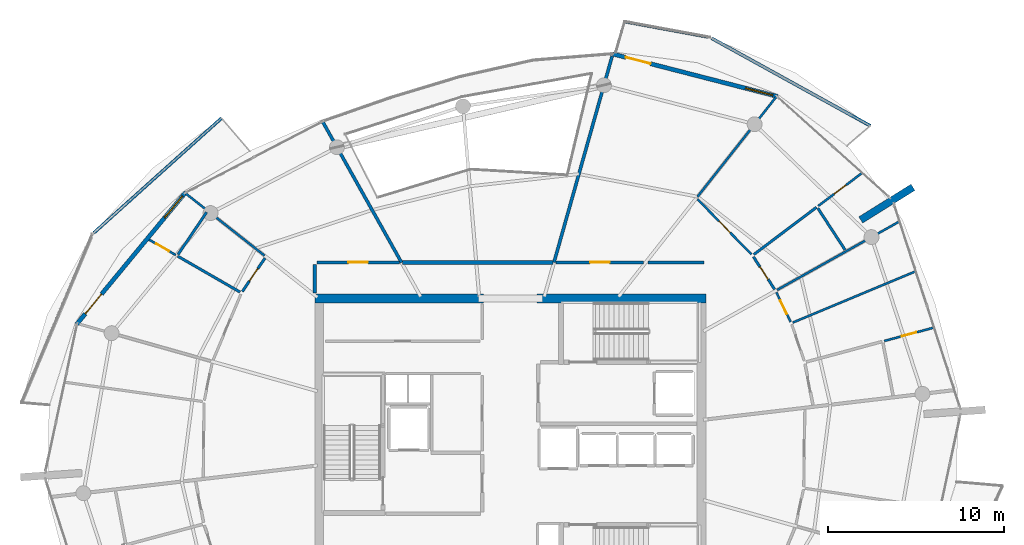
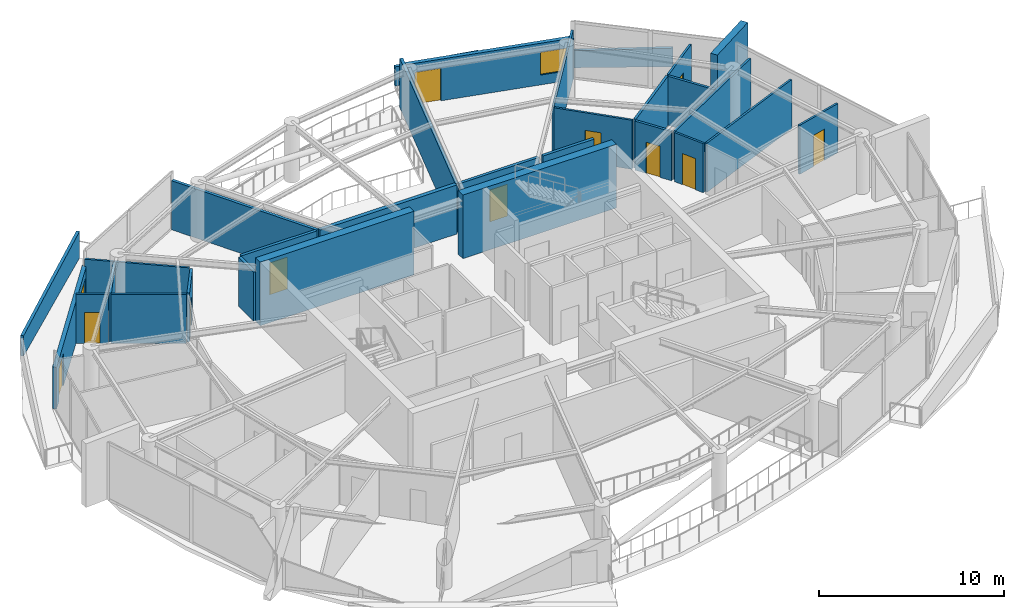
# One storey, part 15 of 21: 30 walls, 11 doors, 2 windows, 13 openings.
"""IFC4 building model written with IfcOpenShell, lengths in metres."""

import ifcopenshell
import ifcopenshell.guid

model = None  # the IFC model being written
_history = None  # IfcOwnerHistory: only IFC2X3 demands one
_inside = {}  # id of a spatial element -> (the spatial element, [elements in it])
_under = {}  # id of a project, library or spatial element -> (it, [spatial elements below it])
_declared = {}  # id of a project -> (the project, [libraries it declares])
_typed = {}  # id of a type object -> (the type object, [elements of that type])
_made_of = {}  # id of a material, layer set ... -> (it, [elements and type objects made of it])


def new_model(schema):
    """Start an empty IFC model of exactly this schema.

    Asked for "IFC4X3", IfcOpenShell would pick the latest addendum, in which some entities
    have other attributes; the version numbers below select the first issue.
    IFC2X3 requires an IfcOwnerHistory on every rooted entity: one is made here for all.
    """
    global model, _history
    if schema == "IFC4X3":
        model = ifcopenshell.file(schema_version=(4, 3, 0, 0))
    else:
        model = ifcopenshell.file(schema=schema)
    _inside.clear()
    _under.clear()
    _declared.clear()
    _typed.clear()
    _made_of.clear()
    _history = None
    if model.schema == "IFC2X3":
        org = make("IfcOrganization", Name="unknown")
        user = make(
            "IfcPersonAndOrganization",
            ThePerson=make("IfcPerson", FamilyName="unknown"),
            TheOrganization=org,
        )
        app = make(
            "IfcApplication",
            ApplicationDeveloper=org,
            Version="unknown",
            ApplicationFullName="unknown",
            ApplicationIdentifier="unknown",
        )
        _history = make(
            "IfcOwnerHistory",
            OwningUser=user,
            OwningApplication=app,
            ChangeAction="ADDED",
            CreationDate=0,
        )
    return model


def make(cls, **values):
    """One entity of the class cls with the attributes given. An attribute that is None is left unset."""
    return model.create_entity(
        cls, **{name: value for name, value in values.items() if value is not None}
    )


def rooted(cls, **values):
    """An entity with a GlobalId (a new one), such as an element, a storey or a relation."""
    return make(cls, GlobalId=ifcopenshell.guid.new(), OwnerHistory=_history, **values)


def si_unit(unit_type, name, prefix=None):
    """IfcSIUnit, for example si_unit("LENGTHUNIT", "METRE", prefix="MILLI")."""
    return make("IfcSIUnit", UnitType=unit_type, Prefix=prefix, Name=name)


def assignment(units):
    """IfcUnitAssignment: the units of a project."""
    return None if units is None else make("IfcUnitAssignment", Units=units)


def point(xyz):
    """IfcCartesianPoint."""
    return None if xyz is None else make("IfcCartesianPoint", Coordinates=xyz)


def direction(xyz):
    """IfcDirection."""
    return None if xyz is None else make("IfcDirection", DirectionRatios=xyz)


def frame(location, z_axis=None, x_axis=None):
    """IfcAxis2Placement3D, a coordinate frame: its origin and axes. An axis left out is left unset."""
    return make(
        "IfcAxis2Placement3D",
        Location=point(location),
        Axis=direction(z_axis),
        RefDirection=direction(x_axis),
    )


def frame_2d(location, x_axis=None):
    """IfcAxis2Placement2D, a coordinate frame in the plane: its origin and x axis."""
    return make(
        "IfcAxis2Placement2D", Location=point(location), RefDirection=direction(x_axis)
    )


def origin():
    """The frame at (0, 0, 0) with its axes left unset."""
    return frame((0.0, 0.0, 0.0))


def place(relative_to, where):
    """IfcLocalPlacement: puts the frame where relative to a parent placement (None: the world)."""
    return make(
        "IfcLocalPlacement", PlacementRelTo=relative_to, RelativePlacement=where
    )


def context(
    kind, dimensions, precision=None, world=None, true_north=None, identifier=None
):
    """IfcGeometricRepresentationContext, for example the 3D "Model" context."""
    return make(
        "IfcGeometricRepresentationContext",
        ContextIdentifier=identifier,
        ContextType=kind,
        CoordinateSpaceDimension=dimensions,
        Precision=precision,
        WorldCoordinateSystem=world,
        TrueNorth=true_north,
    )


def subcontext(parent, identifier, kind, view, scale=None):
    """IfcGeometricRepresentationSubContext, for example "Body" below "Model"."""
    return make(
        "IfcGeometricRepresentationSubContext",
        ContextIdentifier=identifier,
        ContextType=kind,
        ParentContext=parent,
        TargetScale=scale,
        TargetView=view,
    )


def project(units=None, contexts=None):
    """IfcProject with its units and contexts."""
    return rooted(
        "IfcProject",
        Name="project",
        RepresentationContexts=contexts,
        UnitsInContext=assignment(units),
    )


def spatial(cls, under=None, at=None, **own):
    """A site, building, storey or space (cls), placed at a placement, below another one or the project."""
    s = rooted(cls, ObjectPlacement=at, **own)
    if under is not None:
        _under.setdefault(under.id(), (under, []))[1].append(s)
    return s


def polyline(points):
    """IfcPolyline through the points."""
    return make("IfcPolyline", Points=[point(p) for p in points])


def profile(cls, at=None, kind="AREA", **sizes):
    """A parametric profile (cls). Its sizes go by their IFC names, for example OverallWidth=200.0."""
    return make(cls, ProfileType=kind, Position=at, **sizes)


def rectangle(**sizes):
    """IfcRectangleProfileDef."""
    return profile("IfcRectangleProfileDef", **sizes)


def outline(outer, holes=None, kind="AREA"):
    """IfcArbitraryClosedProfileDef: a profile drawn as a closed curve; with holes, ...WithVoids."""
    if holes is None:
        return make("IfcArbitraryClosedProfileDef", ProfileType=kind, OuterCurve=outer)
    return make(
        "IfcArbitraryProfileDefWithVoids",
        ProfileType=kind,
        OuterCurve=outer,
        InnerCurves=holes,
    )


def extrude(swept, where, along, depth):
    """IfcExtrudedAreaSolid: the profile swept, set in the frame where, extruded along a direction by depth."""
    return make(
        "IfcExtrudedAreaSolid",
        SweptArea=swept,
        Position=where,
        ExtrudedDirection=direction(along),
        Depth=depth,
    )


def shape(context_of_items, identifier, shape_type, items):
    """IfcShapeRepresentation: the items that make up one representation, for example the "Body"."""
    return make(
        "IfcShapeRepresentation",
        ContextOfItems=context_of_items,
        RepresentationIdentifier=identifier,
        RepresentationType=shape_type,
        Items=items,
    )


def material(Name=None, Category=None):
    """IfcMaterial."""
    return make("IfcMaterial", Name=Name, Category=Category)


def layer(
    of_material, thickness, ventilated=None, Name=None, Category=None, Priority=None
):
    """IfcMaterialLayer: one layer of a wall or slab, of a material (None: an air gap)."""
    return make(
        "IfcMaterialLayer",
        Material=of_material,
        LayerThickness=thickness,
        IsVentilated=ventilated,
        Name=Name,
        Category=Category,
        Priority=Priority,
    )


def layer_set(layers, Name=None):
    """IfcMaterialLayerSet."""
    return make("IfcMaterialLayerSet", MaterialLayers=layers, LayerSetName=Name)


def made_of(thing, what):
    """Note that an element or type object is made of a material, layer set ...; save() writes the relation."""
    if what is not None:
        _made_of.setdefault(what.id(), (what, []))[1].append(thing)
    return thing


def type_object(cls, material=None, **own):
    """A type object (cls), such as IfcWallType, which elements share."""
    return made_of(rooted(cls, **own), material)


def element(
    cls,
    number,
    at=None,
    inside=None,
    cuts=None,
    type_object=None,
    material=None,
    context=None,
    identifier="Body",
    shape_type=None,
    held_by="IfcProductDefinitionShape",
    body=None,
    shapes=None,
    **own,
):
    """One element of the class cls, such as IfcWall. Its Tag is "e" and its number.

    at: its placement. inside: the storey or other place that contains it. cuts: it is an
    opening in that element (IfcRelVoidsElement). A single representation is given by context,
    identifier, shape_type and body (its items); several are given by shapes. held_by: the class
    of the entity that holds the representations. save() writes the other relations.
    """
    e = rooted(cls, Tag="e%d" % number, ObjectPlacement=at, **own)
    if body is not None:
        shapes = [shape(context, identifier, shape_type, body)]
    if shapes is not None:
        e.Representation = make(held_by, Representations=shapes)
    if inside is not None:
        _inside.setdefault(inside.id(), (inside, []))[1].append(e)
    if cuts is not None:
        rooted(
            "IfcRelVoidsElement", RelatingBuildingElement=cuts, RelatedOpeningElement=e
        )
    if type_object is not None:
        _typed.setdefault(type_object.id(), (type_object, []))[1].append(e)
    return made_of(e, material)


def fill(opening, filler):
    """IfcRelFillsElement: the door or window that sits in an opening."""
    return rooted(
        "IfcRelFillsElement",
        RelatingOpeningElement=opening,
        RelatedBuildingElement=filler,
    )


def aggregate(whole, parts):
    """IfcRelAggregates: a whole, such as a stair, and the parts it consists of."""
    return rooted("IfcRelAggregates", RelatingObject=whole, RelatedObjects=parts)


def save(model, path):
    """Write the relations noted so far, then the file.

    IfcRelAggregates (storeys below a building ...), IfcRelContainedInSpatialStructure (elements
    in a storey), IfcRelDefinesByType, IfcRelAssociatesMaterial and IfcRelDeclares: one each for
    every whole, place, type object, material and project.
    """
    for whole, parts in _under.values():
        aggregate(whole, parts)
    for where, things in _inside.values():
        rooted(
            "IfcRelContainedInSpatialStructure",
            RelatedElements=things,
            RelatingStructure=where,
        )
    for kind, things in _typed.values():
        rooted("IfcRelDefinesByType", RelatedObjects=things, RelatingType=kind)
    for what, things in _made_of.values():
        rooted("IfcRelAssociatesMaterial", RelatedObjects=things, RelatingMaterial=what)
    for by, libraries in _declared.values():
        rooted("IfcRelDeclares", RelatingContext=by, RelatedDefinitions=libraries)
    model.write(path)


model = new_model("IFC4")

# Units and contexts
model_context = context("Model", 3, precision=1e-05, world=origin(), true_north=direction((0.0, 1.0)))
body_context = subcontext(model_context, "Body", "Model", "MODEL_VIEW")
ifc_project = project(units=[si_unit("LENGTHUNIT", "METRE"), si_unit("AREAUNIT", "SQUARE_METRE"), si_unit("VOLUMEUNIT", "CUBIC_METRE"), si_unit("PLANEANGLEUNIT", "RADIAN"), si_unit("MASSUNIT", "GRAM", prefix="KILO")], contexts=[model_context])

# Site, building, storey
site_placement = place(None, origin())
site = spatial("IfcSite", under=ifc_project, at=site_placement, CompositionType="ELEMENT")
building_placement = place(site_placement, origin())
building = spatial("IfcBuilding", under=site, at=building_placement, Name="Kazma Halo Residences", CompositionType="ELEMENT")
storey_placement = place(building_placement, frame((0.0, 0.0, 338.89990234375)))
storey = spatial("IfcBuildingStorey", under=building, at=storey_placement, Name="L85", CompositionType="ELEMENT", Elevation=338.89990234375)

# Walls
ifc_material_1 = material(Name="White Concrete C50/60 Balustrade", Category="concrete")
ifc_layer_1 = layer(ifc_material_1, 0.179931640625)
ifc_layer_set_1 = layer_set([ifc_layer_1], Name="White Concrete C50/60 Balustrade")
wall_type_1 = type_object("IfcWallType", Name="WL-BAL-WAVE-180", PredefinedType="PARAPET", material=ifc_layer_set_1)
wall_1_placement = place(storey_placement, frame((68.89697265625, 60.069580078125, 0.0), z_axis=(0.0, 0.0, 1.0), x_axis=(-0.875469817093, 0.483272800145, 0.0)))
element("IfcWall", 1, at=wall_1_placement, inside=storey, type_object=wall_type_1, Name="L85 white wave balustrade wall NE.1", PredefinedType="PARAPET", context=body_context, shape_type="SweptSolid", body=[
    extrude(outline(polyline([(0.0, 0.0), (10.3017578125, 0.0), (10.301513671875, 1.148193359375), (5.15087890625, 1.127197265625), (0.0, 1.22412109375), (0.0, 0.0)])), frame((0.0, 0.08984375, 0.0), z_axis=(0.0, -1.0, 0.0), x_axis=(1.0, 0.0, 0.0)), (0.0, 0.0, 1.0), 0.179931640625),
])
wall_2_placement = place(storey_placement, frame((59.655029296875, 65.1279296875, 0.0), z_axis=(0.0, 0.0, 1.0), x_axis=(-0.983429847583, 0.18128909201, 0.0)))
element("IfcWall", 2, at=wall_2_placement, inside=storey, type_object=wall_type_1, Name="L85 white wave balustrade wall NE.2", PredefinedType="PARAPET", context=body_context, shape_type="SweptSolid", body=[
    extrude(outline(polyline([(0.0, 0.0), (4.8076171875, 0.0), (4.8076171875, 1.279052734375), (0.0, 1.148193359375), (0.0, 0.0)])), frame((0.0, 0.08984375, 0.0), z_axis=(0.0, -1.0, 0.0), x_axis=(1.0, 0.0, 0.0)), (0.0, 0.0, 1.0), 0.179931640625),
])
wall_3_placement = place(storey_placement, frame((31.996826171875, 60.507080078125, 0.0), z_axis=(0.0, 0.0, 1.0), x_axis=(-0.74390919155, -0.668280715514, 0.0)))
element("IfcWall", 3, at=wall_3_placement, inside=storey, type_object=wall_type_1, Name="L85 white wave balustrade wall NW.1", PredefinedType="PARAPET", context=body_context, shape_type="SweptSolid", body=[
    extrude(outline(polyline([(0.0, 0.0), (9.76513671875, 0.0), (9.76513671875, 1.34814453125), (4.882568359375, 1.56201171875), (0.0, 1.7470703125), (0.0, 0.0)])), frame((0.0, 0.08984375, 0.0), z_axis=(0.0, -1.0, 0.0), x_axis=(1.0, 0.0, 0.0)), (0.0, 0.0, 1.0), 0.179931640625),
])
ifc_material_2 = material(Name="Pale Concrete C60/75", Category="concrete")
ifc_layer_2 = layer(ifc_material_2, 0.419921875)
ifc_layer_set_2 = layer_set([ifc_layer_2], Name="Pale Concrete C60/75")
wall_type_2 = type_object("IfcWallType", Name="WL-BLADE-420", PredefinedType="SOLIDWALL", material=ifc_layer_set_2)
wall_4_placement = place(storey_placement, frame((68.3525390625, 54.7177734375, 0.0), z_axis=(0.0, 0.0, 1.0), x_axis=(0.848053161125, 0.529911158502, 0.0)))
element("IfcWall", 4, at=wall_4_placement, inside=storey, type_object=wall_type_2, Name="L85 pale concrete structural blade fin wall BW-01", PredefinedType="SOLIDWALL", context=body_context, shape_type="SweptSolid", body=[
    extrude(rectangle(XDim=3.5, YDim=0.419921875, at=frame_2d((1.75, 0.0))), origin(), (0.0, 0.0, 1.0), 4.2001953125),
])
ifc_material_3 = material(Name="Concrete C60/75", Category="concrete")
ifc_layer_3 = layer(ifc_material_3, 0.5)
ifc_layer_set_3 = layer_set([ifc_layer_3], Name="Concrete C60/75")
wall_type_3 = type_object("IfcWallType", Name="WL-CORE-500", PredefinedType="SHEAR", material=ifc_layer_set_3)
wall_5_placement = place(storey_placement, frame((37.300048828125, 50.25, 0.0), z_axis=(0.0, 0.0, 1.0), x_axis=(1.0, 0.0, 0.0)))
element("IfcWall", 5, at=wall_5_placement, inside=storey, type_object=wall_type_3, Name="L85 central core shear wall NW", PredefinedType="SHEAR", context=body_context, shape_type="SweptSolid", body=[
    extrude(rectangle(XDim=9.599853515625, YDim=0.5, at=frame_2d((4.7998046875, 0.0))), origin(), (0.0, 0.0, 1.0), 4.2001953125),
])
wall_6_placement = place(storey_placement, frame((49.949951171875, 50.25, 0.0), z_axis=(0.0, 0.0, 1.0), x_axis=(1.0, 0.0, 0.0)))
element("IfcWall", 6, at=wall_6_placement, inside=storey, type_object=wall_type_3, Name="L85 central core shear wall NE", PredefinedType="SHEAR", context=body_context, shape_type="SweptSolid", body=[
    extrude(rectangle(XDim=9.60009765625, YDim=0.5, at=frame_2d((4.800048828125, 0.0))), origin(), (0.0, 0.0, 1.0), 4.2001953125),
])
ifc_material_4 = material(Name="Acoustic Twin-Stud Gypsum")
ifc_layer_4 = layer(ifc_material_4, 0.179931640625)
ifc_layer_set_4 = layer_set([ifc_layer_4], Name="Acoustic Twin-Stud Gypsum")
wall_type_4 = type_object("IfcWallType", Name="WL-DEM-180", PredefinedType="PARTITIONING", material=ifc_layer_set_4)
wall_7_placement = place(storey_placement, frame((50.90478515625, 52.300048828125, 0.0), z_axis=(0.0, 0.0, 1.0), x_axis=(0.271453030279, 0.962451688321, 0.0)))
element("IfcWall", 7, at=wall_7_placement, inside=storey, type_object=wall_type_4, Name="L85 apartment demising radial wall 02", PredefinedType="PARTITIONING", context=body_context, shape_type="SweptSolid", body=[
    extrude(rectangle(XDim=12.191162109375, YDim=0.179931640625, at=frame_2d((6.095703125, 0.0))), origin(), (0.0, 0.0, 1.0), 3.239990234375),
])
wall_8_placement = place(storey_placement, frame((42.231689453125, 52.300048828125, 0.0), z_axis=(0.0, 0.0, 1.0), x_axis=(-0.488623665245, 0.872494649704, 0.0)))
element("IfcWall", 8, at=wall_8_placement, inside=storey, type_object=wall_type_4, Name="L85 apartment demising radial wall 04", PredefinedType="PARTITIONING", context=body_context, shape_type="SweptSolid", body=[
    extrude(rectangle(XDim=9.156982421875, YDim=0.179931640625, at=frame_2d((4.57861328125, 0.0))), origin(), (0.0, 0.0, 1.0), 3.239990234375),
])

# Wall, opening, door
wall_9_placement = place(storey_placement, frame((42.11181640625, 52.300048828125, 0.0), z_axis=(0.0, 0.0, 1.0), x_axis=(-1.0, 0.0, 0.0)))
wall_9 = element("IfcWall", 9, at=wall_9_placement, inside=storey, type_object=wall_type_4, Name="L85 Penthouse 1 entrance corridor wall", PredefinedType="PARTITIONING", context=body_context, shape_type="SweptSolid", body=[
    extrude(rectangle(XDim=4.69189453125, YDim=0.179931640625, at=frame_2d((2.345947265625, 0.0))), origin(), (0.0, 0.0, 1.0), 3.239990234375),
])
opening_1_placement = place(wall_9_placement, frame((1.7958984375, 0.0, 0.0)))
opening_1 = element("IfcOpeningElement", 10, at=opening_1_placement, cuts=wall_9, Name="Opening DA-1100", PredefinedType="OPENING", context=body_context, shape_type="SweptSolid", body=[
    extrude(rectangle(XDim=1.10009765625, YDim=2.10009765625, at=frame_2d((0.550048828125, 1.050048828125))), frame((0.0, 0.099853515625, 0.0), z_axis=(0.0, -1.0, 0.0), x_axis=(1.0, 0.0, 0.0)), (0.0, 0.0, 1.0), 0.199951171875),
])
ifc_material_5 = material(Name="Acoustic Walnut Fire Leaf")
door_type_1 = type_object("IfcDoorType", Name="DR-FD60-1100", OperationType="NOTDEFINED", PredefinedType="DOOR", material=ifc_material_5)
door_1_placement = place(opening_1_placement, origin())
door_1 = element("IfcDoor", 11, at=door_1_placement, inside=storey, type_object=door_type_1, Name="L85 Penthouse 1 entrance fire door", OperationType="SINGLE_SWING_LEFT", OverallHeight=2.10009765625, OverallWidth=1.10009765625, PredefinedType="DOOR", context=body_context, shape_type="SweptSolid", body=[
    extrude(rectangle(XDim=1.10009765625, YDim=2.10009765625, at=frame_2d((0.550048828125, 1.050048828125))), frame((0.0, 0.02490234375, 0.0), z_axis=(0.0, -1.0, 0.0), x_axis=(1.0, 0.0, 0.0)), (0.0, 0.0, 1.0), 0.050048828125),
])
fill(opening_1, door_1)

# Wall
wall_10_placement = place(storey_placement, frame((37.300048828125, 52.179931640625, 0.0), z_axis=(0.0, 0.0, 1.0), x_axis=(0.0, -1.0, 0.0)))
element("IfcWall", 12, at=wall_10_placement, inside=storey, type_object=wall_type_4, Name="L85 Penthouse 1 entrance corridor wall", PredefinedType="PARTITIONING", context=body_context, shape_type="SweptSolid", body=[
    extrude(rectangle(XDim=1.624755859375, YDim=0.179931640625, at=frame_2d((0.8125, 0.0))), origin(), (0.0, 0.0, 1.0), 3.239990234375),
])

# Wall, opening, door
wall_11_placement = place(storey_placement, frame((56.0, 52.300048828125, 0.0), z_axis=(0.0, 0.0, 1.0), x_axis=(-1.0, 0.0, 0.0)))
wall_11 = element("IfcWall", 13, at=wall_11_placement, inside=storey, type_object=wall_type_4, Name="L85 Penthouse 4 entrance corridor wall", PredefinedType="PARTITIONING", context=body_context, shape_type="SweptSolid", body=[
    extrude(rectangle(XDim=4.97509765625, YDim=0.179931640625, at=frame_2d((2.487548828125, 0.0))), origin(), (0.0, 0.0, 1.0), 3.239990234375),
])
opening_2_placement = place(wall_11_placement, frame((1.9375, 0.0, 0.0)))
opening_2 = element("IfcOpeningElement", 14, at=opening_2_placement, cuts=wall_11, Name="Opening DA-1100", PredefinedType="OPENING", context=body_context, shape_type="SweptSolid", body=[
    extrude(rectangle(XDim=1.10009765625, YDim=2.10009765625, at=frame_2d((0.550048828125, 1.050048828125))), frame((0.0, 0.099853515625, 0.0), z_axis=(0.0, -1.0, 0.0), x_axis=(1.0, 0.0, 0.0)), (0.0, 0.0, 1.0), 0.199951171875),
])
door_2_placement = place(opening_2_placement, origin())
door_2 = element("IfcDoor", 15, at=door_2_placement, inside=storey, type_object=door_type_1, Name="L85 Penthouse 4 entrance fire door", OperationType="SINGLE_SWING_RIGHT", OverallHeight=2.10009765625, OverallWidth=1.10009765625, PredefinedType="DOOR", context=body_context, shape_type="SweptSolid", body=[
    extrude(rectangle(XDim=1.10009765625, YDim=2.10009765625, at=frame_2d((0.550048828125, 1.050048828125))), frame((0.0, 0.02490234375, 0.0), z_axis=(0.0, -1.0, 0.0), x_axis=(1.0, 0.0, 0.0)), (0.0, 0.0, 1.0), 0.050048828125),
])
fill(opening_2, door_2)

# Wall
wall_12_placement = place(storey_placement, frame((59.429931640625, 52.300048828125, 0.0), z_axis=(0.0, 0.0, 1.0), x_axis=(-1.0, 0.0, 0.0)))
element("IfcWall", 16, at=wall_12_placement, inside=storey, type_object=wall_type_4, Name="L85 Penthouse 4 inner wall 0", PredefinedType="PARTITIONING", context=body_context, shape_type="SweptSolid", body=[
    extrude(rectangle(XDim=3.18994140625, YDim=0.179931640625, at=frame_2d((1.594970703125, 0.0))), origin(), (0.0, 0.0, 1.0), 3.239990234375),
])

# Wall, openings, door, window
ifc_material_6 = material(Name="Insulated Pale-Metal Composite Wall")
ifc_layer_5 = layer(ifc_material_6, 0.239990234375)
ifc_layer_set_5 = layer_set([ifc_layer_5], Name="Insulated Pale-Metal Composite Wall")
wall_type_5 = type_object("IfcWallType", Name="WL-EXT-HOST-240", PredefinedType="SOLIDWALL", material=ifc_layer_set_5)
wall_13_placement = place(storey_placement, frame((63.619873046875, 61.73974609375, 0.0), z_axis=(0.0, 0.0, 1.0), x_axis=(-0.968389062354, 0.249444630957, 0.0)))
wall_13 = element("IfcWall", 17, at=wall_13_placement, inside=storey, type_object=wall_type_5, Name="L85 exterior terrace-access wall B02", PredefinedType="SOLIDWALL", context=body_context, shape_type="SweptSolid", body=[
    extrude(rectangle(XDim=9.677734375, YDim=0.239990234375, at=frame_2d((4.8388671875, 0.0))), origin(), (0.0, 0.0, 1.0), 2.75),
])
opening_3_placement = place(wall_13_placement, frame((7.457763671875, 0.0, 0.0)))
opening_3 = element("IfcOpeningElement", 18, at=opening_3_placement, cuts=wall_13, Name="Opening DTR-1600", PredefinedType="OPENING", context=body_context, shape_type="SweptSolid", body=[
    extrude(rectangle(XDim=1.449951171875, YDim=2.14990234375, at=frame_2d((0.72509765625, 1.074951171875))), frame((0.0, 0.1298828125, 0.0), z_axis=(0.0, -1.0, 0.0), x_axis=(1.0, 0.0, 0.0)), (0.0, 0.0, 1.0), 0.260009765625),
])
opening_4_placement = place(wall_13_placement, frame((0.280029296875, 0.0, 0.64990234375)))
opening_4 = element("IfcOpeningElement", 19, at=opening_4_placement, cuts=wall_13, Name="Opening W-1800", PredefinedType="OPENING", context=body_context, shape_type="SweptSolid", body=[
    extrude(rectangle(XDim=1.60009765625, YDim=1.5, at=frame_2d((0.800048828125, 0.75))), frame((0.0, 0.1298828125, 0.0), z_axis=(0.0, -1.0, 0.0), x_axis=(1.0, 0.0, 0.0)), (0.0, 0.0, 1.0), 0.260009765625),
])
ifc_material_7 = material(Name="Aluminium AW-6063 T6 Double-Glazed Terrace Door", Category="aluminium")
door_type_2 = type_object("IfcDoorType", Name="DR-EXT-TERR-1600", OperationType="NOTDEFINED", PredefinedType="DOOR", material=ifc_material_7)
door_3_placement = place(opening_3_placement, origin())
door_3 = element("IfcDoor", 20, at=door_3_placement, inside=storey, type_object=door_type_2, Name="L85 B02 balcony terrace door", OperationType="DOUBLE_DOOR_SLIDING", OverallHeight=2.14990234375, OverallWidth=1.449951171875, PredefinedType="DOOR", context=body_context, shape_type="SweptSolid", body=[
    extrude(rectangle(XDim=1.449951171875, YDim=2.14990234375, at=frame_2d((0.72509765625, 1.074951171875))), frame((0.0, 0.02490234375, 0.0), z_axis=(0.0, -1.0, 0.0), x_axis=(1.0, 0.0, 0.0)), (0.0, 0.0, 1.0), 0.050048828125),
])
fill(opening_3, door_3)
ifc_material_8 = material(Name="Clear Triple-Silver Low-E Glass in Aluminium AW-6063 T6 Frame", Category="aluminium")
window_type = type_object("IfcWindowType", Name="WIN-RES-1800", PartitioningType="DOUBLE_PANEL_VERTICAL", PredefinedType="WINDOW", material=ifc_material_8)
window_1_placement = place(opening_4_placement, origin())
window_1 = element("IfcWindow", 21, at=window_1_placement, inside=storey, type_object=window_type, Name="L85 B02 apartment window", OverallHeight=1.5, OverallWidth=1.60009765625, PartitioningType="SINGLE_PANEL", PredefinedType="WINDOW", context=body_context, shape_type="SweptSolid", body=[
    extrude(rectangle(XDim=1.60009765625, YDim=1.5, at=frame_2d((0.800048828125, 0.75))), frame((0.0, 0.030029296875, 0.0), z_axis=(0.0, -1.0, 0.0), x_axis=(1.0, 0.0, 0.0)), (0.0, 0.0, 1.0), 0.06005859375),
])
fill(opening_4, window_1)

wall_14_placement = place(storey_placement, frame((29.955322265625, 56.288818359375, 0.0), z_axis=(0.0, 0.0, 1.0), x_axis=(-0.636803612721, -0.771026042897, 0.0)))
wall_14 = element("IfcWall", 22, at=wall_14_placement, inside=storey, type_object=wall_type_5, Name="L85 exterior terrace-access wall B06", PredefinedType="SOLIDWALL", context=body_context, shape_type="SweptSolid", body=[
    extrude(rectangle(XDim=9.7275390625, YDim=0.239990234375, at=frame_2d((4.86376953125, 0.0))), origin(), (0.0, 0.0, 1.0), 2.75),
])
opening_5_placement = place(wall_14_placement, frame((7.5078125, 0.0, 0.0)))
opening_5 = element("IfcOpeningElement", 23, at=opening_5_placement, cuts=wall_14, Name="Opening DTR-1600", PredefinedType="OPENING", context=body_context, shape_type="SweptSolid", body=[
    extrude(rectangle(XDim=1.449951171875, YDim=2.14990234375, at=frame_2d((0.72509765625, 1.074951171875))), frame((0.0, 0.1298828125, 0.0), z_axis=(0.0, -1.0, 0.0), x_axis=(1.0, 0.0, 0.0)), (0.0, 0.0, 1.0), 0.260009765625),
])
opening_6_placement = place(wall_14_placement, frame((0.280029296875, 0.0, 0.64990234375)))
opening_6 = element("IfcOpeningElement", 24, at=opening_6_placement, cuts=wall_14, Name="Opening W-1800", PredefinedType="OPENING", context=body_context, shape_type="SweptSolid", body=[
    extrude(rectangle(XDim=1.60009765625, YDim=1.5, at=frame_2d((0.800048828125, 0.75))), frame((0.0, 0.1298828125, 0.0), z_axis=(0.0, -1.0, 0.0), x_axis=(1.0, 0.0, 0.0)), (0.0, 0.0, 1.0), 0.260009765625),
])
door_4_placement = place(opening_5_placement, origin())
door_4 = element("IfcDoor", 25, at=door_4_placement, inside=storey, type_object=door_type_2, Name="L85 B06 balcony terrace door", OperationType="DOUBLE_DOOR_SLIDING", OverallHeight=2.14990234375, OverallWidth=1.449951171875, PredefinedType="DOOR", context=body_context, shape_type="SweptSolid", body=[
    extrude(rectangle(XDim=1.449951171875, YDim=2.14990234375, at=frame_2d((0.72509765625, 1.074951171875))), frame((0.0, 0.02490234375, 0.0), z_axis=(0.0, -1.0, 0.0), x_axis=(1.0, 0.0, 0.0)), (0.0, 0.0, 1.0), 0.050048828125),
])
fill(opening_5, door_4)
window_2_placement = place(opening_6_placement, origin())
window_2 = element("IfcWindow", 26, at=window_2_placement, inside=storey, type_object=window_type, Name="L85 B06 apartment window", OverallHeight=1.5, OverallWidth=1.60009765625, PartitioningType="SINGLE_PANEL", PredefinedType="WINDOW", context=body_context, shape_type="SweptSolid", body=[
    extrude(rectangle(XDim=1.60009765625, YDim=1.5, at=frame_2d((0.800048828125, 0.75))), frame((0.0, 0.030029296875, 0.0), z_axis=(0.0, -1.0, 0.0), x_axis=(1.0, 0.0, 0.0)), (0.0, 0.0, 1.0), 0.06005859375),
])
fill(opening_6, window_2)

# Walls
wall_15_placement = place(storey_placement, frame((50.8349609375, 52.300048828125, 0.0), z_axis=(0.0, 0.0, 1.0), x_axis=(-1.0, 0.0, 0.0)))
element("IfcWall", 27, at=wall_15_placement, inside=storey, type_object=wall_type_5, Name="L85 wind-portal core closure wall", PredefinedType="SOLIDWALL", context=body_context, shape_type="SweptSolid", body=[
    extrude(rectangle(XDim=8.533203125, YDim=0.239990234375, at=frame_2d((4.2666015625, 0.0))), origin(), (0.0, 0.0, 1.0), 3.239990234375),
])
ifc_material_9 = material(Name="Gypsum Plasterboard Partition")
ifc_layer_6 = layer(ifc_material_9, 0.125)
ifc_layer_set_6 = layer_set([ifc_layer_6], Name="Gypsum Plasterboard Partition")
wall_type_6 = type_object("IfcWallType", Name="WL-PART-125", PredefinedType="PARTITIONING", material=ifc_layer_set_6)
wall_16_placement = place(storey_placement, frame((34.443115234375, 52.6875, 0.0), z_axis=(0.0, 0.0, 1.0), x_axis=(-0.785329715116, 0.61907773224, 0.0)))
element("IfcWall", 28, at=wall_16_placement, inside=storey, type_object=wall_type_6, Name="L85 Penthouse 1 radial partition 5", PredefinedType="PARTITIONING", context=body_context, shape_type="SweptSolid", body=[
    extrude(rectangle(XDim=5.72998046875, YDim=0.125, at=frame_2d((2.864990234375, 0.0))), origin(), (0.0, 0.0, 1.0), 3.239990234375),
])

# Wall, opening, door
wall_17_placement = place(storey_placement, frame((29.39404296875, 52.719482421875, 0.0), z_axis=(0.0, 0.0, 1.0), x_axis=(-0.866486493133, 0.499200518047, 0.0)))
wall_17 = element("IfcWall", 29, at=wall_17_placement, inside=storey, type_object=wall_type_6, Name="L85 Penthouse 1 Utility Laundry Room partition wall", PredefinedType="PARTITIONING", context=body_context, shape_type="SweptSolid", body=[
    extrude(rectangle(XDim=1.741455078125, YDim=0.125, at=frame_2d((0.87060546875, 0.0))), origin(), (0.0, 0.0, 1.0), 3.239990234375),
])
opening_7_placement = place(wall_17_placement, frame((0.44580078125, 0.0, 0.0)))
opening_7 = element("IfcOpeningElement", 30, at=opening_7_placement, cuts=wall_17, Name="Opening DB-900", PredefinedType="OPENING", context=body_context, shape_type="SweptSolid", body=[
    extrude(rectangle(XDim=0.85009765625, YDim=2.06005859375, at=frame_2d((0.425048828125, 1.030029296875))), frame((0.0, 0.072509765625, 0.0), z_axis=(0.0, -1.0, 0.0), x_axis=(1.0, 0.0, 0.0)), (0.0, 0.0, 1.0), 0.14501953125),
])
ifc_material_10 = material(Name="Moisture-Sealed Timber Leaf", Category="wood")
door_type_3 = type_object("IfcDoorType", Name="DR-BTH-900", OperationType="NOTDEFINED", PredefinedType="DOOR", material=ifc_material_10)
door_5_placement = place(opening_7_placement, origin())
door_5 = element("IfcDoor", 31, at=door_5_placement, inside=storey, type_object=door_type_3, Name="L85 Penthouse 1 Utility Laundry Room door", OperationType="SINGLE_SWING_RIGHT", OverallHeight=2.06005859375, OverallWidth=0.85009765625, PredefinedType="DOOR", context=body_context, shape_type="SweptSolid", body=[
    extrude(rectangle(XDim=0.85009765625, YDim=2.06005859375, at=frame_2d((0.425048828125, 1.030029296875))), frame((0.0, 0.02490234375, 0.0), z_axis=(0.0, -1.0, 0.0), x_axis=(1.0, 0.0, 0.0)), (0.0, 0.0, 1.0), 0.050048828125),
])
fill(opening_7, door_5)

wall_18_placement = place(storey_placement, frame((69.685546875, 47.831787109375, 0.0), z_axis=(0.0, 0.0, 1.0), x_axis=(0.965675542132, 0.259751318242, 0.0)))
wall_18 = element("IfcWall", 32, at=wall_18_placement, inside=storey, type_object=wall_type_6, Name="L85 Penthouse 4 Household Store Room partition wall", PredefinedType="PARTITIONING", context=body_context, shape_type="SweptSolid", body=[
    extrude(rectangle(XDim=2.91650390625, YDim=0.125, at=frame_2d((1.458251953125, 0.0))), origin(), (0.0, 0.0, 1.0), 3.239990234375),
])
opening_8_placement = place(wall_18_placement, frame((1.033203125, 0.0, 0.0)))
opening_8 = element("IfcOpeningElement", 33, at=opening_8_placement, cuts=wall_18, Name="Opening DB-900", PredefinedType="OPENING", context=body_context, shape_type="SweptSolid", body=[
    extrude(rectangle(XDim=0.85009765625, YDim=2.06005859375, at=frame_2d((0.425048828125, 1.030029296875))), frame((0.0, 0.072509765625, 0.0), z_axis=(0.0, -1.0, 0.0), x_axis=(1.0, 0.0, 0.0)), (0.0, 0.0, 1.0), 0.14501953125),
])
door_6_placement = place(opening_8_placement, origin())
door_6 = element("IfcDoor", 34, at=door_6_placement, inside=storey, type_object=door_type_3, Name="L85 Penthouse 4 Household Store Room door", OperationType="SINGLE_SWING_RIGHT", OverallHeight=2.06005859375, OverallWidth=0.85009765625, PredefinedType="DOOR", context=body_context, shape_type="SweptSolid", body=[
    extrude(rectangle(XDim=0.85009765625, YDim=2.06005859375, at=frame_2d((0.425048828125, 1.030029296875))), frame((0.0, 0.02490234375, 0.0), z_axis=(0.0, -1.0, 0.0), x_axis=(1.0, 0.0, 0.0)), (0.0, 0.0, 1.0), 0.050048828125),
])
fill(opening_8, door_6)

# Wall
wall_19_placement = place(storey_placement, frame((64.48828125, 48.879638671875, 0.0), z_axis=(0.0, 0.0, 1.0), x_axis=(0.922882765435, 0.385081032075, 0.0)))
element("IfcWall", 35, at=wall_19_placement, inside=storey, type_object=wall_type_6, Name="L85 Penthouse 4 suite divider 15", PredefinedType="PARTITIONING", context=body_context, shape_type="SweptSolid", body=[
    extrude(rectangle(XDim=7.556640625, YDim=0.125, at=frame_2d((3.7783203125, 0.0))), origin(), (0.0, 0.0, 1.0), 3.239990234375),
])

# Wall, opening, door
wall_20_placement = place(storey_placement, frame((64.3701171875, 48.9169921875, 0.0), z_axis=(0.0, 0.0, 1.0), x_axis=(-0.437562887643, 0.899187810948, 0.0)))
wall_20 = element("IfcWall", 36, at=wall_20_placement, inside=storey, type_object=wall_type_6, Name="L85 Penthouse 4 Primary Bedroom hall wall", PredefinedType="PARTITIONING", context=body_context, shape_type="SweptSolid", body=[
    extrude(rectangle(XDim=1.866943359375, YDim=0.125, at=frame_2d((0.93359375, 0.0))), origin(), (0.0, 0.0, 1.0), 3.239990234375),
])
opening_9_placement = place(wall_20_placement, frame((0.508544921875, 0.0, 0.0)))
opening_9 = element("IfcOpeningElement", 37, at=opening_9_placement, cuts=wall_20, Name="Opening DB-900", PredefinedType="OPENING", context=body_context, shape_type="SweptSolid", body=[
    extrude(rectangle(XDim=0.85009765625, YDim=2.06005859375, at=frame_2d((0.425048828125, 1.030029296875))), frame((0.0, 0.072509765625, 0.0), z_axis=(0.0, -1.0, 0.0), x_axis=(1.0, 0.0, 0.0)), (0.0, 0.0, 1.0), 0.14501953125),
])
door_7_placement = place(opening_9_placement, origin())
door_7 = element("IfcDoor", 38, at=door_7_placement, inside=storey, type_object=door_type_3, Name="L85 Penthouse 4 Primary Bedroom door", OperationType="SINGLE_SWING_RIGHT", OverallHeight=2.06005859375, OverallWidth=0.85009765625, PredefinedType="DOOR", context=body_context, shape_type="SweptSolid", body=[
    extrude(rectangle(XDim=0.85009765625, YDim=2.06005859375, at=frame_2d((0.425048828125, 1.030029296875))), frame((0.0, 0.02490234375, 0.0), z_axis=(0.0, -1.0, 0.0), x_axis=(1.0, 0.0, 0.0)), (0.0, 0.0, 1.0), 0.050048828125),
])
fill(opening_9, door_7)

# Walls
wall_21_placement = place(storey_placement, frame((63.5966796875, 50.734619140625, 0.0), z_axis=(0.0, 0.0, 1.0), x_axis=(0.872502877723, 0.488608972865, 0.0)))
element("IfcWall", 39, at=wall_21_placement, inside=storey, type_object=wall_type_6, Name="L85 Penthouse 4 radial partition 0", PredefinedType="PARTITIONING", context=body_context, shape_type="SweptSolid", body=[
    extrude(rectangle(XDim=7.959716796875, YDim=0.125, at=frame_2d((3.97998046875, 0.0))), origin(), (0.0, 0.0, 1.0), 3.239990234375),
])
wall_22_placement = place(storey_placement, frame((59.06689453125, 56.038330078125, 0.0), z_axis=(0.0, 0.0, 1.0), x_axis=(0.619090647654, 0.785319533685, 0.0)))
element("IfcWall", 40, at=wall_22_placement, inside=storey, type_object=wall_type_6, Name="L85 Penthouse 4 living radial partition 0", PredefinedType="PARTITIONING", context=body_context, shape_type="SweptSolid", body=[
    extrude(rectangle(XDim=7.2509765625, YDim=0.125, at=frame_2d((3.62548828125, 0.0))), origin(), (0.0, 0.0, 1.0), 3.239990234375),
])

# Wall, opening, door
wall_23_placement = place(storey_placement, frame((65.9365234375, 55.51123046875, 0.0), z_axis=(0.0, 0.0, 1.0), x_axis=(0.798731839866, 0.601687167874, 0.0)))
wall_23 = element("IfcWall", 41, at=wall_23_placement, inside=storey, type_object=wall_type_6, Name="L85 Penthouse 4 Secondary Walk-In Wardrobe partition wall", PredefinedType="PARTITIONING", context=body_context, shape_type="SweptSolid", body=[
    extrude(rectangle(XDim=3.10009765625, YDim=0.125, at=frame_2d((1.550048828125, 0.0))), origin(), (0.0, 0.0, 1.0), 3.239990234375),
])
opening_10_placement = place(wall_23_placement, frame((1.125, 0.0, 0.0)))
opening_10 = element("IfcOpeningElement", 42, at=opening_10_placement, cuts=wall_23, Name="Opening DB-900", PredefinedType="OPENING", context=body_context, shape_type="SweptSolid", body=[
    extrude(rectangle(XDim=0.85009765625, YDim=2.06005859375, at=frame_2d((0.425048828125, 1.030029296875))), frame((0.0, 0.072509765625, 0.0), z_axis=(0.0, -1.0, 0.0), x_axis=(1.0, 0.0, 0.0)), (0.0, 0.0, 1.0), 0.14501953125),
])
door_8_placement = place(opening_10_placement, origin())
door_8 = element("IfcDoor", 43, at=door_8_placement, inside=storey, type_object=door_type_3, Name="L85 Penthouse 4 Secondary Walk-In Wardrobe door", OperationType="SINGLE_SWING_LEFT", OverallHeight=2.06005859375, OverallWidth=0.85009765625, PredefinedType="DOOR", context=body_context, shape_type="SweptSolid", body=[
    extrude(rectangle(XDim=0.85009765625, YDim=2.06005859375, at=frame_2d((0.425048828125, 1.030029296875))), frame((0.0, 0.02490234375, 0.0), z_axis=(0.0, -1.0, 0.0), x_axis=(1.0, 0.0, 0.0)), (0.0, 0.0, 1.0), 0.050048828125),
])
fill(opening_10, door_8)

wall_24_placement = place(storey_placement, frame((62.135498046875, 52.759765625, 0.0), z_axis=(0.0, 0.0, 1.0), x_axis=(-0.699310266819, 0.714818264121, 0.0)))
wall_24 = element("IfcWall", 44, at=wall_24_placement, inside=storey, type_object=wall_type_6, Name="L85 Penthouse 4 East Master Bedroom hall wall", PredefinedType="PARTITIONING", context=body_context, shape_type="SweptSolid", body=[
    extrude(rectangle(XDim=4.37646484375, YDim=0.125, at=frame_2d((2.188232421875, 0.0))), origin(), (0.0, 0.0, 1.0), 3.239990234375),
])
opening_11_placement = place(wall_24_placement, frame((1.73828125, 0.0, 0.0)))
opening_11 = element("IfcOpeningElement", 45, at=opening_11_placement, cuts=wall_24, Name="Opening DI-950", PredefinedType="OPENING", context=body_context, shape_type="SweptSolid", body=[
    extrude(rectangle(XDim=0.89990234375, YDim=2.080078125, at=frame_2d((0.449951171875, 1.0400390625))), frame((0.0, 0.072509765625, 0.0), z_axis=(0.0, -1.0, 0.0), x_axis=(1.0, 0.0, 0.0)), (0.0, 0.0, 1.0), 0.14501953125),
])
ifc_material_11 = material(Name="Timber Veneer Flush Leaf", Category="wood")
door_type_4 = type_object("IfcDoorType", Name="DR-INT-950", OperationType="NOTDEFINED", PredefinedType="DOOR", material=ifc_material_11)
door_9_placement = place(opening_11_placement, origin())
door_9 = element("IfcDoor", 46, at=door_9_placement, inside=storey, type_object=door_type_4, Name="L85 Penthouse 4 East Master Bedroom door", OperationType="SINGLE_SWING_RIGHT", OverallHeight=2.080078125, OverallWidth=0.89990234375, PredefinedType="DOOR", context=body_context, shape_type="SweptSolid", body=[
    extrude(rectangle(XDim=0.89990234375, YDim=2.080078125, at=frame_2d((0.449951171875, 1.0400390625))), frame((0.0, 0.02490234375, 0.0), z_axis=(0.0, -1.0, 0.0), x_axis=(1.0, 0.0, 0.0)), (0.0, 0.0, 1.0), 0.050048828125),
])
fill(opening_11, door_9)

ifc_material_12 = material(Name="Moisture-Resistant Gypsum")
ifc_layer_7 = layer(ifc_material_12, 0.14990234375)
ifc_layer_set_7 = layer_set([ifc_layer_7], Name="Moisture-Resistant Gypsum")
wall_type_7 = type_object("IfcWallType", Name="WL-WET-150", PredefinedType="PARTITIONING", material=ifc_layer_set_7)
wall_25_placement = place(storey_placement, frame((34.465576171875, 52.542724609375, 0.0), z_axis=(0.0, 0.0, 1.0), x_axis=(-0.560627016922, -0.828068443969, 0.0)))
wall_25 = element("IfcWall", 47, at=wall_25_placement, inside=storey, type_object=wall_type_7, Name="L85 Penthouse 1 Guest Bathroom hall wall", PredefinedType="PARTITIONING", context=body_context, shape_type="SweptSolid", body=[
    extrude(rectangle(XDim=2.294921875, YDim=0.14990234375, at=frame_2d((1.1474609375, 0.0))), origin(), (0.0, 0.0, 1.0), 3.239990234375),
])
opening_12_placement = place(wall_25_placement, frame((0.722412109375, 0.0, 0.0)))
opening_12 = element("IfcOpeningElement", 48, at=opening_12_placement, cuts=wall_25, Name="Opening DB-900", PredefinedType="OPENING", context=body_context, shape_type="SweptSolid", body=[
    extrude(rectangle(XDim=0.85009765625, YDim=2.06005859375, at=frame_2d((0.425048828125, 1.030029296875))), frame((0.0, 0.0849609375, 0.0), z_axis=(0.0, -1.0, 0.0), x_axis=(1.0, 0.0, 0.0)), (0.0, 0.0, 1.0), 0.169921875),
])
door_10_placement = place(opening_12_placement, origin())
door_10 = element("IfcDoor", 49, at=door_10_placement, inside=storey, type_object=door_type_3, Name="L85 Penthouse 1 Guest Bathroom door", OperationType="SINGLE_SWING_LEFT", OverallHeight=2.06005859375, OverallWidth=0.85009765625, PredefinedType="DOOR", context=body_context, shape_type="SweptSolid", body=[
    extrude(rectangle(XDim=0.85009765625, YDim=2.06005859375, at=frame_2d((0.425048828125, 1.030029296875))), frame((0.0, 0.02490234375, 0.0), z_axis=(0.0, -1.0, 0.0), x_axis=(1.0, 0.0, 0.0)), (0.0, 0.0, 1.0), 0.050048828125),
])
fill(opening_12, door_10)

# Walls
wall_26_placement = place(storey_placement, frame((31.151611328125, 55.1552734375, 0.0), z_axis=(0.0, 0.0, 1.0), x_axis=(-0.560638207203, -0.828060867705, 0.0)))
element("IfcWall", 50, at=wall_26_placement, inside=storey, type_object=wall_type_7, Name="L85 Penthouse 1 Guest Bathroom back wall", PredefinedType="PARTITIONING", context=body_context, shape_type="SweptSolid", body=[
    extrude(rectangle(XDim=2.906005859375, YDim=0.14990234375, at=frame_2d((1.453125, 0.0))), origin(), (0.0, 0.0, 1.0), 3.239990234375),
])
wall_27_placement = place(storey_placement, frame((33.050537109375, 50.61279296875, 0.0), z_axis=(0.0, 0.0, 1.0), x_axis=(-0.866485544891, 0.499202163952, 0.0)))
element("IfcWall", 51, at=wall_27_placement, inside=storey, type_object=wall_type_7, Name="L85 Penthouse 1 Guest Bathroom side wall", PredefinedType="PARTITIONING", context=body_context, shape_type="SweptSolid", body=[
    extrude(rectangle(XDim=4.090087890625, YDim=0.14990234375, at=frame_2d((2.044921875, 0.0))), origin(), (0.0, 0.0, 1.0), 3.239990234375),
])

# Wall, opening, door
wall_28_placement = place(storey_placement, frame((63.454833984375, 50.76953125, 0.0), z_axis=(0.0, 0.0, 1.0), x_axis=(-0.546385741331, 0.837533654052, 0.0)))
wall_28 = element("IfcWall", 52, at=wall_28_placement, inside=storey, type_object=wall_type_7, Name="L85 Penthouse 4 Primary En-Suite Bathroom hall wall", PredefinedType="PARTITIONING", context=body_context, shape_type="SweptSolid", body=[
    extrude(rectangle(XDim=2.20947265625, YDim=0.14990234375, at=frame_2d((1.104736328125, 0.0))), origin(), (0.0, 0.0, 1.0), 3.239990234375),
])
opening_13_placement = place(wall_28_placement, frame((0.6796875, 0.0, 0.0)))
opening_13 = element("IfcOpeningElement", 53, at=opening_13_placement, cuts=wall_28, Name="Opening DB-900", PredefinedType="OPENING", context=body_context, shape_type="SweptSolid", body=[
    extrude(rectangle(XDim=0.85009765625, YDim=2.06005859375, at=frame_2d((0.425048828125, 1.030029296875))), frame((0.0, 0.0849609375, 0.0), z_axis=(0.0, -1.0, 0.0), x_axis=(1.0, 0.0, 0.0)), (0.0, 0.0, 1.0), 0.169921875),
])
door_11_placement = place(opening_13_placement, origin())
door_11 = element("IfcDoor", 54, at=door_11_placement, inside=storey, type_object=door_type_3, Name="L85 Penthouse 4 Primary En-Suite Bathroom door", OperationType="SINGLE_SWING_RIGHT", OverallHeight=2.06005859375, OverallWidth=0.85009765625, PredefinedType="DOOR", context=body_context, shape_type="SweptSolid", body=[
    extrude(rectangle(XDim=0.85009765625, YDim=2.06005859375, at=frame_2d((0.425048828125, 1.030029296875))), frame((0.0, 0.02490234375, 0.0), z_axis=(0.0, -1.0, 0.0), x_axis=(1.0, 0.0, 0.0)), (0.0, 0.0, 1.0), 0.050048828125),
])
fill(opening_13, door_11)

# Walls
wall_29_placement = place(storey_placement, frame((67.459716796875, 53.01220703125, 0.0), z_axis=(0.0, 0.0, 1.0), x_axis=(-0.546428345771, 0.83750585845, 0.0)))
element("IfcWall", 55, at=wall_29_placement, inside=storey, type_object=wall_type_7, Name="L85 Penthouse 4 Primary En-Suite Bathroom back wall", PredefinedType="PARTITIONING", context=body_context, shape_type="SweptSolid", body=[
    extrude(rectangle(XDim=2.8291015625, YDim=0.14990234375, at=frame_2d((1.41455078125, 0.0))), origin(), (0.0, 0.0, 1.0), 3.239990234375),
])
wall_30_placement = place(storey_placement, frame((62.270263671875, 52.74951171875, 0.0), z_axis=(0.0, 0.0, 1.0), x_axis=(0.798737068945, 0.601680226278, 0.0)))
element("IfcWall", 56, at=wall_30_placement, inside=storey, type_object=wall_type_7, Name="L85 Penthouse 4 Primary En-Suite Bathroom side wall", PredefinedType="PARTITIONING", context=body_context, shape_type="SweptSolid", body=[
    extrude(rectangle(XDim=4.460205078125, YDim=0.14990234375, at=frame_2d((2.22998046875, 0.0))), origin(), (0.0, 0.0, 1.0), 3.239990234375),
])

save(model, "model.ifc")
